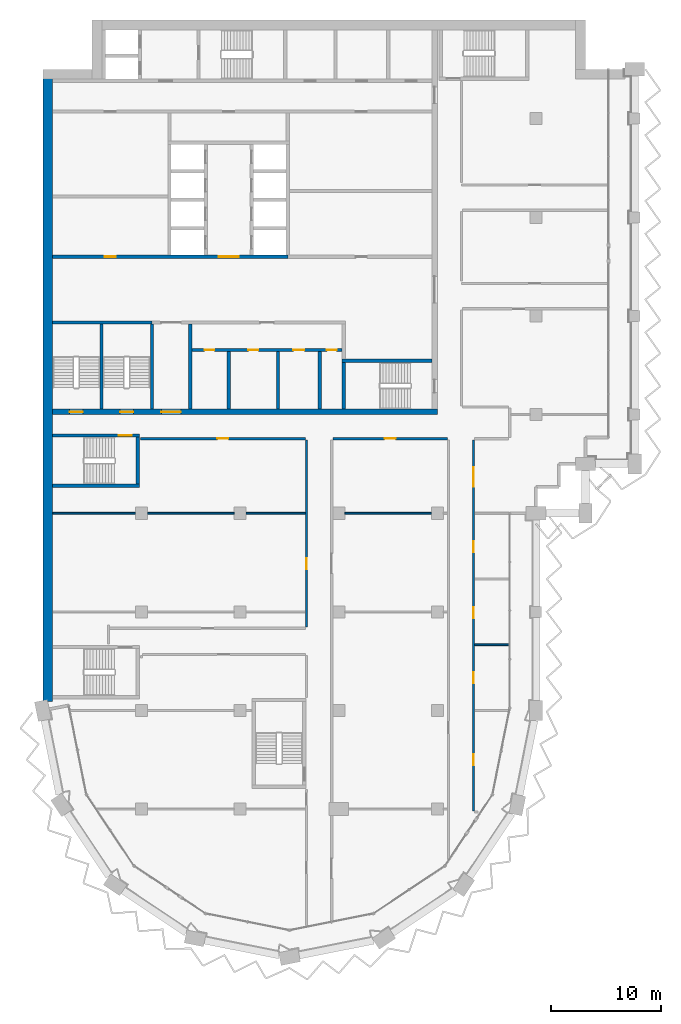
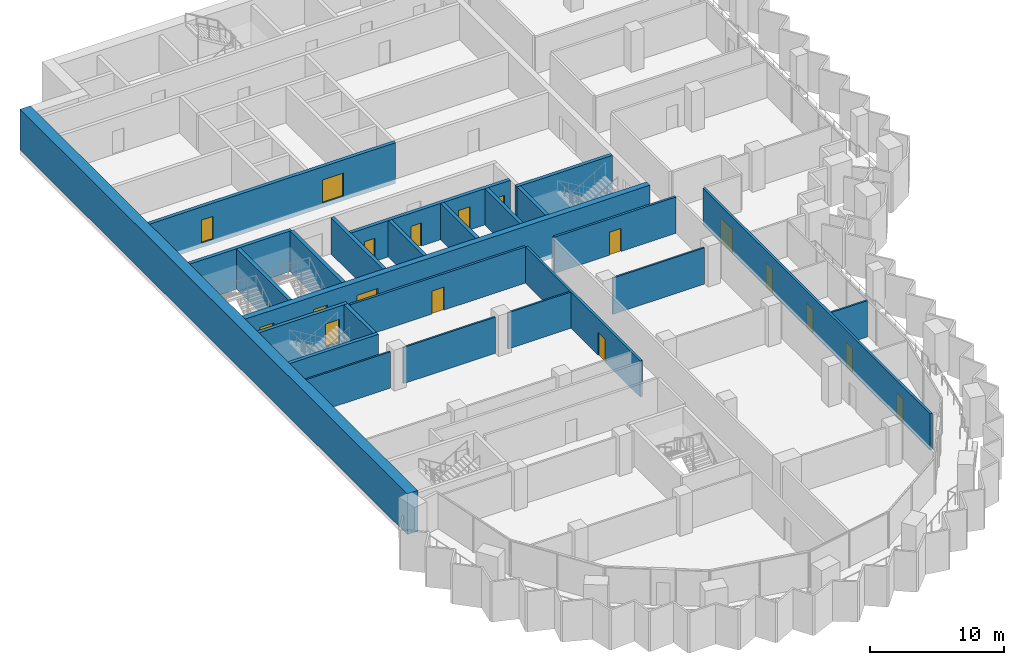
# One storey, part 8 of 17: 25 walls, 18 doors, 18 openings.
"""IFC4 building model written with IfcOpenShell, lengths in metres."""

from ifc_helpers import new_model, si_unit, direction, frame, frame_2d, origin, place, context, subcontext, project, spatial, rectangle, extrude, material, layer, layer_set, type_object, element, fill, save


model = new_model("IFC4")

# Units and contexts
model_context = context("Model", 3, precision=1e-05, world=origin(), true_north=direction((0.0, 1.0)))
body_context = subcontext(model_context, "Body", "Model", "MODEL_VIEW")
ifc_project = project(units=[si_unit("LENGTHUNIT", "METRE"), si_unit("AREAUNIT", "SQUARE_METRE"), si_unit("VOLUMEUNIT", "CUBIC_METRE"), si_unit("PLANEANGLEUNIT", "RADIAN"), si_unit("MASSUNIT", "GRAM", prefix="KILO")], contexts=[model_context])

# Site, building, storey
site_placement = place(None, origin())
site = spatial("IfcSite", under=ifc_project, at=site_placement, CompositionType="ELEMENT")
building_placement = place(site_placement, origin())
building = spatial("IfcBuilding", under=site, at=building_placement, Name="Hunhe Ridgeline Campus", CompositionType="ELEMENT")
storey_placement = place(building_placement, frame((0.0, 0.0, 197.60009765625)))
storey = spatial("IfcBuildingStorey", under=building, at=storey_placement, Name="L50", CompositionType="ELEMENT", Elevation=197.60009765625)

# Wall, openings, doors
ifc_material_1 = material(Name="Masonry concrete blockwork", Category="masonry")
ifc_layer_1 = layer(ifc_material_1, 0.300048828125)
ifc_layer_set_1 = layer_set([ifc_layer_1], Name="Core room partition 300 concrete block")
wall_type_1 = type_object("IfcWallType", Name="Core room partition 300 concrete block", PredefinedType="PARTITIONING", material=ifc_layer_set_1)
wall_1_placement = place(storey_placement, frame((13.60009765625, 68.89990234375, 0.0), z_axis=(0.0, 0.0, 1.0), x_axis=(1.0, 0.0, 0.0)))
wall_1 = element("IfcWall", 1, at=wall_1_placement, inside=storey, type_object=wall_type_1, Name="L50 core partition 9", PredefinedType="PARTITIONING", context=body_context, shape_type="SweptSolid", body=[
    extrude(rectangle(XDim=13.699951171875, YDim=0.300048828125, at=frame_2d((6.85009765625, 0.0))), origin(), (0.0, 0.0, 1.0), 3.2998046875),
])
opening_1_placement = place(wall_1_placement, frame((1.14990234375, 0.0, 0.0)))
opening_1 = element("IfcOpeningElement", 2, at=opening_1_placement, cuts=wall_1, Name="Opening CD8", PredefinedType="OPENING", context=body_context, shape_type="SweptSolid", body=[
    extrude(rectangle(XDim=0.89990234375, YDim=2.10009765625, at=frame_2d((0.449951171875, 1.050048828125))), frame((0.0, 0.14990234375, 0.0), z_axis=(0.0, -1.0, 0.0), x_axis=(1.0, 0.0, 0.0)), (0.0, 0.0, 1.0), 0.300048828125),
])
opening_2_placement = place(wall_1_placement, frame((5.14990234375, 0.0, 0.0)))
opening_2 = element("IfcOpeningElement", 3, at=opening_2_placement, cuts=wall_1, Name="Opening CD9", PredefinedType="OPENING", context=body_context, shape_type="SweptSolid", body=[
    extrude(rectangle(XDim=0.89990234375, YDim=2.10009765625, at=frame_2d((0.449951171875, 1.050048828125))), frame((0.0, 0.14990234375, 0.0), z_axis=(0.0, -1.0, 0.0), x_axis=(1.0, 0.0, 0.0)), (0.0, 0.0, 1.0), 0.300048828125),
])
opening_3_placement = place(wall_1_placement, frame((9.25, 0.0, 0.0)))
opening_3 = element("IfcOpeningElement", 4, at=opening_3_placement, cuts=wall_1, Name="Opening CD10", PredefinedType="OPENING", context=body_context, shape_type="SweptSolid", body=[
    extrude(rectangle(XDim=1.0, YDim=2.10009765625, at=frame_2d((0.5, 1.050048828125))), frame((0.0, 0.14990234375, 0.0), z_axis=(0.0, -1.0, 0.0), x_axis=(1.0, 0.0, 0.0)), (0.0, 0.0, 1.0), 0.300048828125),
])
opening_4_placement = place(wall_1_placement, frame((12.300048828125, 0.0, 0.0)))
opening_4 = element("IfcOpeningElement", 5, at=opening_4_placement, cuts=wall_1, Name="Opening CD11", PredefinedType="OPENING", context=body_context, shape_type="SweptSolid", body=[
    extrude(rectangle(XDim=0.89990234375, YDim=2.10009765625, at=frame_2d((0.449951171875, 1.050048828125))), frame((0.0, 0.14990234375, 0.0), z_axis=(0.0, -1.0, 0.0), x_axis=(1.0, 0.0, 0.0)), (0.0, 0.0, 1.0), 0.300048828125),
])
ifc_material_2 = material(Name="Solid core timber door leaf", Category="wood")
door_type_1 = type_object("IfcDoorType", Name="Timber door 1000x2100", OperationType="SINGLE_SWING_LEFT", PredefinedType="DOOR", material=ifc_material_2)
door_1_placement = place(opening_3_placement, frame((1.0, 0.0, 0.0), z_axis=(0.0, 0.0, 1.0), x_axis=(-1.0, 0.0, 0.0)))
door_1 = element("IfcDoor", 6, at=door_1_placement, inside=storey, type_object=door_type_1, Name="L50 door WC3", OperationType="SINGLE_SWING_LEFT", OverallHeight=2.10009765625, OverallWidth=1.0, PredefinedType="DOOR", context=body_context, shape_type="SweptSolid", body=[
    extrude(rectangle(XDim=1.0, YDim=2.10009765625, at=frame_2d((0.5, 1.050048828125))), frame((0.0, 0.02490234375, 0.0), z_axis=(0.0, -1.0, 0.0), x_axis=(1.0, 0.0, 0.0)), (0.0, 0.0, 1.0), 0.050048828125),
])
fill(opening_3, door_1)
door_type_2 = type_object("IfcDoorType", Name="Timber door 900x2100", OperationType="SINGLE_SWING_LEFT", PredefinedType="DOOR", material=ifc_material_2)
door_2_placement = place(opening_1_placement, frame((0.89990234375, 0.0, 0.0), z_axis=(0.0, 0.0, 1.0), x_axis=(-1.0, 0.0, 0.0)))
door_2 = element("IfcDoor", 7, at=door_2_placement, inside=storey, type_object=door_type_2, Name="L50 door WC1", OperationType="SINGLE_SWING_LEFT", OverallHeight=2.10009765625, OverallWidth=0.89990234375, PredefinedType="DOOR", context=body_context, shape_type="SweptSolid", body=[
    extrude(rectangle(XDim=0.89990234375, YDim=2.10009765625, at=frame_2d((0.449951171875, 1.050048828125))), frame((0.0, 0.02490234375, 0.0), z_axis=(0.0, -1.0, 0.0), x_axis=(1.0, 0.0, 0.0)), (0.0, 0.0, 1.0), 0.050048828125),
])
fill(opening_1, door_2)
door_3_placement = place(opening_2_placement, frame((0.89990234375, 0.0, 0.0), z_axis=(0.0, 0.0, 1.0), x_axis=(-1.0, 0.0, 0.0)))
door_3 = element("IfcDoor", 8, at=door_3_placement, inside=storey, type_object=door_type_2, Name="L50 door WC2", OperationType="SINGLE_SWING_RIGHT", OverallHeight=2.10009765625, OverallWidth=0.89990234375, PredefinedType="DOOR", context=body_context, shape_type="SweptSolid", body=[
    extrude(rectangle(XDim=0.89990234375, YDim=2.10009765625, at=frame_2d((0.449951171875, 1.050048828125))), frame((0.0, 0.02490234375, 0.0), z_axis=(0.0, -1.0, 0.0), x_axis=(1.0, 0.0, 0.0)), (0.0, 0.0, 1.0), 0.050048828125),
])
fill(opening_2, door_3)
door_4_placement = place(opening_4_placement, frame((0.89990234375, 0.0, 0.0), z_axis=(0.0, 0.0, 1.0), x_axis=(-1.0, 0.0, 0.0)))
door_4 = element("IfcDoor", 9, at=door_4_placement, inside=storey, type_object=door_type_2, Name="L50 door WC4", OperationType="SINGLE_SWING_RIGHT", OverallHeight=2.10009765625, OverallWidth=0.89990234375, PredefinedType="DOOR", context=body_context, shape_type="SweptSolid", body=[
    extrude(rectangle(XDim=0.89990234375, YDim=2.10009765625, at=frame_2d((0.449951171875, 1.050048828125))), frame((0.0, 0.02490234375, 0.0), z_axis=(0.0, -1.0, 0.0), x_axis=(1.0, 0.0, 0.0)), (0.0, 0.0, 1.0), 0.050048828125),
])
fill(opening_4, door_4)

# Walls
wall_2_placement = place(storey_placement, frame((13.449951171875, 63.5, 0.0), z_axis=(0.0, 0.0, 1.0), x_axis=(0.0, 1.0, 0.0)))
element("IfcWall", 10, at=wall_2_placement, inside=storey, type_object=wall_type_1, Name="L50 core partition 35", PredefinedType="PARTITIONING", context=body_context, shape_type="SweptSolid", body=[
    extrude(rectangle(XDim=7.75, YDim=0.300048828125, at=frame_2d((3.875, 0.0))), origin(), (0.0, 0.0, 1.0), 3.2998046875),
])
for number, where, z_axis, x_axis, name in (
    (11, (16.949951171875, 63.5, 0.0), (0.0, 0.0, 1.0), (0.0, 1.0, 0.0), "L50 core partition 38"),
    (12, (21.449951171875, 63.5, 0.0), (0.0, 0.0, 1.0), (0.0, 1.0, 0.0), "L50 core partition 41"),
    (13, (25.25, 63.5, 0.0), (0.0, 0.0, 1.0), (0.0, 1.0, 0.0), "L50 core partition 46"),
):
    element("IfcWall", number, at=place(storey_placement, frame(where, z_axis=z_axis, x_axis=x_axis)), inside=storey, type_object=wall_type_1, Name=name, PredefinedType="PARTITIONING", context=body_context, shape_type="SweptSolid", body=[
        extrude(rectangle(XDim=5.25, YDim=0.300048828125, at=frame_2d((2.625, 0.0))), origin(), (0.0, 0.0, 1.0), 3.2998046875),
    ])

# Wall, openings, doors
ifc_material_3 = material(Name="Concrete C60", Category="concrete")
ifc_layer_2 = layer(ifc_material_3, 0.5)
ifc_layer_set_2 = layer_set([ifc_layer_2], Name="Core wall 500 reinforced concrete C60")
wall_type_2 = type_object("IfcWallType", Name="Core wall 500 reinforced concrete C60", PredefinedType="SOLIDWALL", material=ifc_layer_set_2)
wall_3_placement = place(storey_placement, frame((0.89990234375, 63.25, -0.400146484375), z_axis=(0.0, 0.0, 1.0), x_axis=(1.0, 0.0, 0.0)))
wall_3 = element("IfcWall", 14, at=wall_3_placement, inside=storey, type_object=wall_type_2, Name="L50 core wall 7", PredefinedType="SOLIDWALL", context=body_context, shape_type="SweptSolid", body=[
    extrude(rectangle(XDim=35.10009765625, YDim=0.5, at=frame_2d((17.550048828125, 0.0))), origin(), (0.0, 0.0, 1.0), 3.699951171875),
])
opening_5_placement = place(wall_3_placement, frame((9.89990234375, 0.0, 0.39990234375)))
opening_5 = element("IfcOpeningElement", 15, at=opening_5_placement, cuts=wall_3, Name="Opening CD6", PredefinedType="OPENING", context=body_context, shape_type="SweptSolid", body=[
    extrude(rectangle(XDim=1.800048828125, YDim=2.10009765625, at=frame_2d((0.89990234375, 1.050048828125))), frame((0.0, 0.25, 0.0), z_axis=(0.0, -1.0, 0.0), x_axis=(1.0, 0.0, 0.0)), (0.0, 0.0, 1.0), 0.5),
])
opening_6_placement = place(wall_3_placement, frame((1.550048828125, 0.0, 0.39990234375)))
opening_6 = element("IfcOpeningElement", 16, at=opening_6_placement, cuts=wall_3, Name="Opening CD13", PredefinedType="OPENING", context=body_context, shape_type="SweptSolid", body=[
    extrude(rectangle(XDim=1.199951171875, YDim=2.10009765625, at=frame_2d((0.60009765625, 1.050048828125))), frame((0.0, 0.25, 0.0), z_axis=(0.0, -1.0, 0.0), x_axis=(1.0, 0.0, 0.0)), (0.0, 0.0, 1.0), 0.5),
])
opening_7_placement = place(wall_3_placement, frame((6.14990234375, 0.0, 0.39990234375)))
opening_7 = element("IfcOpeningElement", 17, at=opening_7_placement, cuts=wall_3, Name="Opening CD14", PredefinedType="OPENING", context=body_context, shape_type="SweptSolid", body=[
    extrude(rectangle(XDim=1.199951171875, YDim=2.10009765625, at=frame_2d((0.60009765625, 1.050048828125))), frame((0.0, 0.25, 0.0), z_axis=(0.0, -1.0, 0.0), x_axis=(1.0, 0.0, 0.0)), (0.0, 0.0, 1.0), 0.5),
])
ifc_material_4 = material(Name="Anodised aluminium and glass", Category="aluminium")
door_type_3 = type_object("IfcDoorType", Name="Glazed double door 1800x2100", OperationType="DOUBLE_DOOR_SINGLE_SWING", PredefinedType="DOOR", material=ifc_material_4)
door_5_placement = place(opening_5_placement, frame((1.800048828125, 0.0, 0.0), z_axis=(0.0, 0.0, 1.0), x_axis=(-1.0, 0.0, 0.0)))
door_5 = element("IfcDoor", 18, at=door_5_placement, inside=storey, type_object=door_type_3, Name="L50 door VEST-FLOOR", OperationType="DOUBLE_DOOR_SINGLE_SWING", OverallHeight=2.10009765625, OverallWidth=1.800048828125, PredefinedType="DOOR", context=body_context, shape_type="SweptSolid", body=[
    extrude(rectangle(XDim=1.800048828125, YDim=2.10009765625, at=frame_2d((0.89990234375, 1.050048828125))), frame((0.0, 0.02490234375, 0.0), z_axis=(0.0, -1.0, 0.0), x_axis=(1.0, 0.0, 0.0)), (0.0, 0.0, 1.0), 0.050048828125),
])
fill(opening_5, door_5)
ifc_material_5 = material(Name="Hollow metal fire door leaf")
door_type_4 = type_object("IfcDoorType", Name="Stair door 1200x2100 FD60", OperationType="SINGLE_SWING_LEFT", PredefinedType="DOOR", material=ifc_material_5)
door_6_placement = place(opening_6_placement, frame((1.199951171875, 0.0, 0.0), z_axis=(0.0, 0.0, 1.0), x_axis=(-1.0, 0.0, 0.0)))
door_6 = element("IfcDoor", 19, at=door_6_placement, inside=storey, type_object=door_type_4, Name="L50 door S3", OperationType="SINGLE_SWING_LEFT", OverallHeight=2.10009765625, OverallWidth=1.199951171875, PredefinedType="DOOR", context=body_context, shape_type="SweptSolid", body=[
    extrude(rectangle(XDim=1.199951171875, YDim=2.10009765625, at=frame_2d((0.60009765625, 1.050048828125))), frame((0.0, 0.02490234375, 0.0), z_axis=(0.0, -1.0, 0.0), x_axis=(1.0, 0.0, 0.0)), (0.0, 0.0, 1.0), 0.050048828125),
])
fill(opening_6, door_6)
door_7_placement = place(opening_7_placement, frame((1.199951171875, 0.0, 0.0), z_axis=(0.0, 0.0, 1.0), x_axis=(-1.0, 0.0, 0.0)))
door_7 = element("IfcDoor", 20, at=door_7_placement, inside=storey, type_object=door_type_4, Name="L50 door S4", OperationType="SINGLE_SWING_RIGHT", OverallHeight=2.10009765625, OverallWidth=1.199951171875, PredefinedType="DOOR", context=body_context, shape_type="SweptSolid", body=[
    extrude(rectangle(XDim=1.199951171875, YDim=2.10009765625, at=frame_2d((0.60009765625, 1.050048828125))), frame((0.0, 0.02490234375, 0.0), z_axis=(0.0, -1.0, 0.0), x_axis=(1.0, 0.0, 0.0)), (0.0, 0.0, 1.0), 0.050048828125),
])
fill(opening_7, door_7)

# Wall, opening, door
ifc_material_6 = material(Name="Gypsum board partition")
ifc_layer_3 = layer(ifc_material_6, 0.199951171875)
ifc_layer_set_3 = layer_set([ifc_layer_3], Name="Corridor partition 200 gypsum board on steel studs")
wall_type_3 = type_object("IfcWallType", Name="Corridor partition 200 gypsum board on steel studs", PredefinedType="PARTITIONING", material=ifc_layer_set_3)
wall_4_placement = place(storey_placement, frame((23.949951171875, 60.800048828125, 0.0), z_axis=(0.0, 0.0, 1.0), x_axis=(-1.0, 0.0, 0.0)))
wall_4 = element("IfcWall", 21, at=wall_4_placement, inside=storey, type_object=wall_type_3, Name="F-L50-wall-026", PredefinedType="PARTITIONING", context=body_context, shape_type="SweptSolid", body=[
    extrude(rectangle(XDim=15.0458984375, YDim=0.199951171875, at=frame_2d((7.52294921875, 0.0))), origin(), (0.0, 0.0, 1.0), 3.2998046875),
])
opening_8_placement = place(wall_4_placement, frame((7.02294921875, 0.0, 0.0)))
opening_8 = element("IfcOpeningElement", 22, at=opening_8_placement, cuts=wall_4, Name="Opening RD1-014", PredefinedType="OPENING", context=body_context, shape_type="SweptSolid", body=[
    extrude(rectangle(XDim=1.0, YDim=2.10009765625, at=frame_2d((0.5, 1.050048828125))), frame((0.0, 0.10009765625, 0.0), z_axis=(0.0, -1.0, 0.0), x_axis=(1.0, 0.0, 0.0)), (0.0, 0.0, 1.0), 0.199951171875),
])
ifc_material_7 = material(Name="Timber door leaf", Category="wood")
door_type_5 = type_object("IfcDoorType", Name="Single fire door 1000x2100 timber FD60", OperationType="NOTDEFINED", PredefinedType="DOOR", material=ifc_material_7)
door_8_placement = place(opening_8_placement, origin())
door_8 = element("IfcDoor", 23, at=door_8_placement, inside=storey, type_object=door_type_5, Name="F-L50-door-014", OperationType="SINGLE_SWING_LEFT", OverallHeight=2.10009765625, OverallWidth=1.0, PredefinedType="DOOR", context=body_context, shape_type="SweptSolid", body=[
    extrude(rectangle(XDim=1.0, YDim=2.10009765625, at=frame_2d((0.5, 1.050048828125))), frame((0.0, 0.02490234375, 0.0), z_axis=(0.0, -1.0, 0.0), x_axis=(1.0, 0.0, 0.0)), (0.0, 0.0, 1.0), 0.050048828125),
])
fill(opening_8, door_8)

wall_5_placement = place(storey_placement, frame((36.89990234375, 60.800048828125, 0.0), z_axis=(0.0, 0.0, 1.0), x_axis=(-1.0, 0.0, 0.0)))
wall_5 = element("IfcWall", 24, at=wall_5_placement, inside=storey, type_object=wall_type_3, Name="F-L50-wall-027", PredefinedType="PARTITIONING", context=body_context, shape_type="SweptSolid", body=[
    extrude(rectangle(XDim=10.449951171875, YDim=0.199951171875, at=frame_2d((5.22509765625, 0.0))), origin(), (0.0, 0.0, 1.0), 3.2998046875),
])
opening_9_placement = place(wall_5_placement, frame((4.72509765625, 0.0, 0.0)))
opening_9 = element("IfcOpeningElement", 25, at=opening_9_placement, cuts=wall_5, Name="Opening RD1-015", PredefinedType="OPENING", context=body_context, shape_type="SweptSolid", body=[
    extrude(rectangle(XDim=1.0, YDim=2.10009765625, at=frame_2d((0.5, 1.050048828125))), frame((0.0, 0.10009765625, 0.0), z_axis=(0.0, -1.0, 0.0), x_axis=(1.0, 0.0, 0.0)), (0.0, 0.0, 1.0), 0.199951171875),
])
door_9_placement = place(opening_9_placement, origin())
door_9 = element("IfcDoor", 26, at=door_9_placement, inside=storey, type_object=door_type_5, Name="F-L50-door-015", OperationType="SINGLE_SWING_LEFT", OverallHeight=2.10009765625, OverallWidth=1.0, PredefinedType="DOOR", context=body_context, shape_type="SweptSolid", body=[
    extrude(rectangle(XDim=1.0, YDim=2.10009765625, at=frame_2d((0.5, 1.050048828125))), frame((0.0, 0.02490234375, 0.0), z_axis=(0.0, -1.0, 0.0), x_axis=(1.0, 0.0, 0.0)), (0.0, 0.0, 1.0), 0.050048828125),
])
fill(opening_9, door_9)

wall_6_placement = place(storey_placement, frame((24.050048828125, 43.60009765625, 0.0), z_axis=(0.0, 0.0, 1.0), x_axis=(0.0, 1.0, 0.0)))
wall_6 = element("IfcWall", 27, at=wall_6_placement, inside=storey, type_object=wall_type_3, Name="F-L50-wall-040", PredefinedType="PARTITIONING", context=body_context, shape_type="SweptSolid", body=[
    extrude(rectangle(XDim=17.099853515625, YDim=0.199951171875, at=frame_2d((8.5498046875, 0.0))), origin(), (0.0, 0.0, 1.0), 3.2998046875),
])
opening_10_placement = place(wall_6_placement, frame((5.28369140625, 0.0, 0.0)))
opening_10 = element("IfcOpeningElement", 28, at=opening_10_placement, cuts=wall_6, Name="Opening RD1-010", PredefinedType="OPENING", context=body_context, shape_type="SweptSolid", body=[
    extrude(rectangle(XDim=1.0, YDim=2.10009765625, at=frame_2d((0.5, 1.050048828125))), frame((0.0, 0.10009765625, 0.0), z_axis=(0.0, -1.0, 0.0), x_axis=(1.0, 0.0, 0.0)), (0.0, 0.0, 1.0), 0.199951171875),
])
door_10_placement = place(opening_10_placement, origin())
door_10 = element("IfcDoor", 29, at=door_10_placement, inside=storey, type_object=door_type_5, Name="F-L50-door-010", OperationType="SINGLE_SWING_RIGHT", OverallHeight=2.10009765625, OverallWidth=1.0, PredefinedType="DOOR", context=body_context, shape_type="SweptSolid", body=[
    extrude(rectangle(XDim=1.0, YDim=2.10009765625, at=frame_2d((0.5, 1.050048828125))), frame((0.0, 0.02490234375, 0.0), z_axis=(0.0, -1.0, 0.0), x_axis=(1.0, 0.0, 0.0)), (0.0, 0.0, 1.0), 0.050048828125),
])
fill(opening_10, door_10)

# Wall, openings, doors
wall_7_placement = place(storey_placement, frame((39.300048828125, 60.699951171875, 0.0), z_axis=(0.0, 0.0, 1.0), x_axis=(0.0, -1.0, 0.0)))
wall_7 = element("IfcWall", 30, at=wall_7_placement, inside=storey, type_object=wall_type_3, Name="F-L50-wall-047", PredefinedType="PARTITIONING", context=body_context, shape_type="SweptSolid", body=[
    extrude(rectangle(XDim=33.85205078125, YDim=0.199951171875, at=frame_2d((16.926025390625, 0.0))), origin(), (0.0, 0.0, 1.0), 3.2998046875),
])
opening_11_placement = place(wall_7_placement, frame((28.712890625, 0.0, 0.0)))
opening_11 = element("IfcOpeningElement", 31, at=opening_11_placement, cuts=wall_7, Name="Opening RD1-004", PredefinedType="OPENING", context=body_context, shape_type="SweptSolid", body=[
    extrude(rectangle(XDim=1.0, YDim=2.10009765625, at=frame_2d((0.5, 1.050048828125))), frame((0.0, 0.10009765625, 0.0), z_axis=(0.0, -1.0, 0.0), x_axis=(1.0, 0.0, 0.0)), (0.0, 0.0, 1.0), 0.199951171875),
])
opening_12_placement = place(wall_7_placement, frame((21.1904296875, 0.0, 0.0)))
opening_12 = element("IfcOpeningElement", 32, at=opening_12_placement, cuts=wall_7, Name="Opening RD1-006", PredefinedType="OPENING", context=body_context, shape_type="SweptSolid", body=[
    extrude(rectangle(XDim=1.0, YDim=2.10009765625, at=frame_2d((0.5, 1.050048828125))), frame((0.0, 0.10009765625, 0.0), z_axis=(0.0, -1.0, 0.0), x_axis=(1.0, 0.0, 0.0)), (0.0, 0.0, 1.0), 0.199951171875),
])
opening_13_placement = place(wall_7_placement, frame((15.297607421875, 0.0, 0.0)))
opening_13 = element("IfcOpeningElement", 33, at=opening_13_placement, cuts=wall_7, Name="Opening RD1-009", PredefinedType="OPENING", context=body_context, shape_type="SweptSolid", body=[
    extrude(rectangle(XDim=1.0, YDim=2.10009765625, at=frame_2d((0.5, 1.050048828125))), frame((0.0, 0.10009765625, 0.0), z_axis=(0.0, -1.0, 0.0), x_axis=(1.0, 0.0, 0.0)), (0.0, 0.0, 1.0), 0.199951171875),
])
opening_14_placement = place(wall_7_placement, frame((9.279541015625, 0.0, 0.0)))
opening_14 = element("IfcOpeningElement", 34, at=opening_14_placement, cuts=wall_7, Name="Opening RD1-012", PredefinedType="OPENING", context=body_context, shape_type="SweptSolid", body=[
    extrude(rectangle(XDim=1.0, YDim=2.10009765625, at=frame_2d((0.5, 1.050048828125))), frame((0.0, 0.10009765625, 0.0), z_axis=(0.0, -1.0, 0.0), x_axis=(1.0, 0.0, 0.0)), (0.0, 0.0, 1.0), 0.199951171875),
])
opening_15_placement = place(wall_7_placement, frame((2.485107421875, 0.0, 0.0)))
opening_15 = element("IfcOpeningElement", 35, at=opening_15_placement, cuts=wall_7, Name="Opening RD2-013", PredefinedType="OPENING", context=body_context, shape_type="SweptSolid", body=[
    extrude(rectangle(XDim=1.800048828125, YDim=2.10009765625, at=frame_2d((0.89990234375, 1.050048828125))), frame((0.0, 0.10009765625, 0.0), z_axis=(0.0, -1.0, 0.0), x_axis=(1.0, 0.0, 0.0)), (0.0, 0.0, 1.0), 0.199951171875),
])
door_type_6 = type_object("IfcDoorType", Name="Double fire door 1800x2100 timber FD60", OperationType="DOUBLE_DOOR_SINGLE_SWING", PredefinedType="DOOR", material=ifc_material_7)
door_11_placement = place(opening_15_placement, origin())
door_11 = element("IfcDoor", 36, at=door_11_placement, inside=storey, type_object=door_type_6, Name="F-L50-door-013", OperationType="DOUBLE_DOOR_SINGLE_SWING", OverallHeight=2.10009765625, OverallWidth=1.800048828125, PredefinedType="DOOR", context=body_context, shape_type="SweptSolid", body=[
    extrude(rectangle(XDim=1.800048828125, YDim=2.10009765625, at=frame_2d((0.89990234375, 1.050048828125))), frame((0.0, 0.02490234375, 0.0), z_axis=(0.0, -1.0, 0.0), x_axis=(1.0, 0.0, 0.0)), (0.0, 0.0, 1.0), 0.050048828125),
])
fill(opening_15, door_11)
door_12_placement = place(opening_11_placement, origin())
door_12 = element("IfcDoor", 37, at=door_12_placement, inside=storey, type_object=door_type_5, Name="F-L50-door-004", OperationType="SINGLE_SWING_LEFT", OverallHeight=2.10009765625, OverallWidth=1.0, PredefinedType="DOOR", context=body_context, shape_type="SweptSolid", body=[
    extrude(rectangle(XDim=1.0, YDim=2.10009765625, at=frame_2d((0.5, 1.050048828125))), frame((0.0, 0.02490234375, 0.0), z_axis=(0.0, -1.0, 0.0), x_axis=(1.0, 0.0, 0.0)), (0.0, 0.0, 1.0), 0.050048828125),
])
fill(opening_11, door_12)
door_13_placement = place(opening_12_placement, origin())
door_13 = element("IfcDoor", 38, at=door_13_placement, inside=storey, type_object=door_type_5, Name="F-L50-door-006", OperationType="SINGLE_SWING_LEFT", OverallHeight=2.10009765625, OverallWidth=1.0, PredefinedType="DOOR", context=body_context, shape_type="SweptSolid", body=[
    extrude(rectangle(XDim=1.0, YDim=2.10009765625, at=frame_2d((0.5, 1.050048828125))), frame((0.0, 0.02490234375, 0.0), z_axis=(0.0, -1.0, 0.0), x_axis=(1.0, 0.0, 0.0)), (0.0, 0.0, 1.0), 0.050048828125),
])
fill(opening_12, door_13)
door_14_placement = place(opening_13_placement, origin())
door_14 = element("IfcDoor", 39, at=door_14_placement, inside=storey, type_object=door_type_5, Name="F-L50-door-009", OperationType="SINGLE_SWING_LEFT", OverallHeight=2.10009765625, OverallWidth=1.0, PredefinedType="DOOR", context=body_context, shape_type="SweptSolid", body=[
    extrude(rectangle(XDim=1.0, YDim=2.10009765625, at=frame_2d((0.5, 1.050048828125))), frame((0.0, 0.02490234375, 0.0), z_axis=(0.0, -1.0, 0.0), x_axis=(1.0, 0.0, 0.0)), (0.0, 0.0, 1.0), 0.050048828125),
])
fill(opening_13, door_14)
door_15_placement = place(opening_14_placement, origin())
door_15 = element("IfcDoor", 40, at=door_15_placement, inside=storey, type_object=door_type_5, Name="F-L50-door-012", OperationType="SINGLE_SWING_RIGHT", OverallHeight=2.10009765625, OverallWidth=1.0, PredefinedType="DOOR", context=body_context, shape_type="SweptSolid", body=[
    extrude(rectangle(XDim=1.0, YDim=2.10009765625, at=frame_2d((0.5, 1.050048828125))), frame((0.0, 0.02490234375, 0.0), z_axis=(0.0, -1.0, 0.0), x_axis=(1.0, 0.0, 0.0)), (0.0, 0.0, 1.0), 0.050048828125),
])
fill(opening_14, door_15)

# Walls
ifc_layer_4 = layer(ifc_material_6, 0.14990234375)
ifc_layer_set_4 = layer_set([ifc_layer_4], Name="Room partition 150 gypsum board on steel studs")
wall_type_4 = type_object("IfcWallType", Name="Room partition 150 gypsum board on steel studs", PredefinedType="PARTITIONING", material=ifc_layer_set_4)
wall_8_placement = place(storey_placement, frame((39.39990234375, 42.0, 0.0), z_axis=(0.0, 0.0, 1.0), x_axis=(1.0, 0.0, 0.0)))
element("IfcWall", 41, at=wall_8_placement, inside=storey, type_object=wall_type_4, Name="F-L50-wall-012", PredefinedType="PARTITIONING", context=body_context, shape_type="SweptSolid", body=[
    extrude(rectangle(XDim=3.14501953125, YDim=0.14990234375, at=frame_2d((1.572509765625, 0.0))), origin(), (0.0, 0.0, 1.0), 3.2998046875),
])
wall_9_placement = place(storey_placement, frame((0.919921875, 54.0, 0.0), z_axis=(0.0, 0.0, 1.0), x_axis=(1.0, 0.0, 0.0)))
element("IfcWall", 42, at=wall_9_placement, inside=storey, type_object=wall_type_4, Name="F-L50-wall-020", PredefinedType="PARTITIONING", context=body_context, shape_type="SweptSolid", body=[
    extrude(rectangle(XDim=7.530029296875, YDim=0.14990234375, at=frame_2d((3.76513671875, 0.0))), origin(), (0.0, 0.0, 1.0), 3.2998046875),
])
wall_10_placement = place(storey_placement, frame((9.550048828125, 54.0, 0.0), z_axis=(0.0, 0.0, 1.0), x_axis=(1.0, 0.0, 0.0)))
element("IfcWall", 43, at=wall_10_placement, inside=storey, type_object=wall_type_4, Name="F-L50-wall-021", PredefinedType="PARTITIONING", context=body_context, shape_type="SweptSolid", body=[
    extrude(rectangle(XDim=7.89990234375, YDim=0.14990234375, at=frame_2d((3.949951171875, 0.0))), origin(), (0.0, 0.0, 1.0), 3.2998046875),
])
wall_11_placement = place(storey_placement, frame((18.550048828125, 54.0, 0.0), z_axis=(0.0, 0.0, 1.0), x_axis=(1.0, 0.0, 0.0)))
element("IfcWall", 44, at=wall_11_placement, inside=storey, type_object=wall_type_4, Name="F-L50-wall-022", PredefinedType="PARTITIONING", context=body_context, shape_type="SweptSolid", body=[
    extrude(rectangle(XDim=5.39990234375, YDim=0.14990234375, at=frame_2d((2.699951171875, 0.0))), origin(), (0.0, 0.0, 1.0), 3.2998046875),
])
wall_12_placement = place(storey_placement, frame((27.550048828125, 54.0, 0.0), z_axis=(0.0, 0.0, 1.0), x_axis=(1.0, 0.0, 0.0)))
element("IfcWall", 45, at=wall_12_placement, inside=storey, type_object=wall_type_4, Name="F-L50-wall-023", PredefinedType="PARTITIONING", context=body_context, shape_type="SweptSolid", body=[
    extrude(rectangle(XDim=7.89990234375, YDim=0.14990234375, at=frame_2d((3.949951171875, 0.0))), origin(), (0.0, 0.0, 1.0), 3.2998046875),
])

# Wall, openings, doors
ifc_layer_5 = layer(ifc_material_3, 0.300048828125)
ifc_layer_set_5 = layer_set([ifc_layer_5], Name="Shaft wall 300 reinforced concrete C60")
wall_type_5 = type_object("IfcWallType", Name="Shaft wall 300 reinforced concrete C60", PredefinedType="SOLIDWALL", material=ifc_layer_set_5)
wall_13_placement = place(storey_placement, frame((0.89990234375, 77.39990234375, -0.400146484375), z_axis=(0.0, 0.0, 1.0), x_axis=(1.0, 0.0, 0.0)))
wall_13 = element("IfcWall", 46, at=wall_13_placement, inside=storey, type_object=wall_type_5, Name="L50 core wall 12", PredefinedType="SOLIDWALL", context=body_context, shape_type="SweptSolid", body=[
    extrude(rectangle(XDim=21.4501953125, YDim=0.300048828125, at=frame_2d((10.72509765625, 0.0))), origin(), (0.0, 0.0, 1.0), 3.699951171875),
])
opening_16_placement = place(wall_13_placement, frame((15.14990234375, 0.0, 0.39990234375)))
opening_16 = element("IfcOpeningElement", 47, at=opening_16_placement, cuts=wall_13, Name="Opening CD38", PredefinedType="OPENING", context=body_context, shape_type="SweptSolid", body=[
    extrude(rectangle(XDim=1.800048828125, YDim=2.10009765625, at=frame_2d((0.89990234375, 1.050048828125))), frame((0.0, 0.14990234375, 0.0), z_axis=(0.0, -1.0, 0.0), x_axis=(1.0, 0.0, 0.0)), (0.0, 0.0, 1.0), 0.300048828125),
])
opening_17_placement = place(wall_13_placement, frame((4.75, 0.0, 0.39990234375)))
opening_17 = element("IfcOpeningElement", 48, at=opening_17_placement, cuts=wall_13, Name="Opening CD39", PredefinedType="OPENING", context=body_context, shape_type="SweptSolid", body=[
    extrude(rectangle(XDim=1.0, YDim=2.10009765625, at=frame_2d((0.5, 1.050048828125))), frame((0.0, 0.14990234375, 0.0), z_axis=(0.0, -1.0, 0.0), x_axis=(1.0, 0.0, 0.0)), (0.0, 0.0, 1.0), 0.300048828125),
])
door_type_7 = type_object("IfcDoorType", Name="Lobby door 1800x2100 FD60", OperationType="SINGLE_SWING_LEFT", PredefinedType="DOOR", material=ifc_material_5)
door_16_placement = place(opening_16_placement, frame((1.800048828125, 0.0, 0.0), z_axis=(0.0, 0.0, 1.0), x_axis=(-1.0, 0.0, 0.0)))
door_16 = element("IfcDoor", 49, at=door_16_placement, inside=storey, type_object=door_type_7, Name="L50 door LOB-HR", OperationType="SINGLE_SWING_RIGHT", OverallHeight=2.10009765625, OverallWidth=1.800048828125, PredefinedType="DOOR", context=body_context, shape_type="SweptSolid", body=[
    extrude(rectangle(XDim=1.800048828125, YDim=2.10009765625, at=frame_2d((0.89990234375, 1.050048828125))), frame((0.0, 0.02490234375, 0.0), z_axis=(0.0, -1.0, 0.0), x_axis=(1.0, 0.0, 0.0)), (0.0, 0.0, 1.0), 0.050048828125),
])
fill(opening_16, door_16)
door_17_placement = place(opening_17_placement, origin())
door_17 = element("IfcDoor", 50, at=door_17_placement, inside=storey, type_object=door_type_1, Name="L50 door VD-LR0", OperationType="SINGLE_SWING_LEFT", OverallHeight=2.10009765625, OverallWidth=1.0, PredefinedType="DOOR", context=body_context, shape_type="SweptSolid", body=[
    extrude(rectangle(XDim=1.0, YDim=2.10009765625, at=frame_2d((0.5, 1.050048828125))), frame((0.0, 0.02490234375, 0.0), z_axis=(0.0, -1.0, 0.0), x_axis=(1.0, 0.0, 0.0)), (0.0, 0.0, 1.0), 0.050048828125),
])
fill(opening_17, door_17)

# Walls
ifc_layer_6 = layer(ifc_material_3, 0.89990234375)
ifc_layer_set_6 = layer_set([ifc_layer_6], Name="Spine wall 900 Concrete C60")
wall_type_6 = type_object("IfcWallType", Name="Spine wall 900 Concrete C60", PredefinedType="SHEAR", material=ifc_layer_set_6)
wall_14_placement = place(storey_placement, frame((0.449951171875, 94.5, 0.0), z_axis=(0.0, 0.0, 1.0), x_axis=(0.0, -1.0, 0.0)))
element("IfcWall", 51, at=wall_14_placement, inside=storey, type_object=wall_type_6, Name="Spine wall SW3-1 L50", PredefinedType="SHEAR", context=body_context, shape_type="SweptSolid", body=[
    extrude(rectangle(XDim=57.686767578125, YDim=0.89990234375, at=frame_2d((28.84326171875, 0.0))), origin(), (0.0, 0.0, 1.0), 3.699951171875),
])
ifc_layer_7 = layer(ifc_material_3, 0.300048828125)
ifc_layer_set_7 = layer_set([ifc_layer_7], Name="Stair wall 300 reinforced concrete C60")
wall_type_7 = type_object("IfcWallType", Name="Stair wall 300 reinforced concrete C60", PredefinedType="SOLIDWALL", material=ifc_layer_set_7)
wall_15_placement = place(storey_placement, frame((0.89990234375, 56.5, -0.400146484375), z_axis=(0.0, 0.0, 1.0), x_axis=(1.0, 0.0, 0.0)))
element("IfcWall", 52, at=wall_15_placement, inside=storey, type_object=wall_type_7, Name="L50 core wall 5", PredefinedType="SOLIDWALL", context=body_context, shape_type="SweptSolid", body=[
    extrude(rectangle(XDim=7.900146484375, YDim=0.300048828125, at=frame_2d((3.9501953125, 0.0))), origin(), (0.0, 0.0, 1.0), 3.699951171875),
])

# Wall, opening, door
wall_16_placement = place(storey_placement, frame((0.89990234375, 61.10009765625, -0.400146484375), z_axis=(0.0, 0.0, 1.0), x_axis=(1.0, 0.0, 0.0)))
wall_16 = element("IfcWall", 53, at=wall_16_placement, inside=storey, type_object=wall_type_7, Name="L50 core wall 6", PredefinedType="SOLIDWALL", context=body_context, shape_type="SweptSolid", body=[
    extrude(rectangle(XDim=7.900146484375, YDim=0.300048828125, at=frame_2d((3.9501953125, 0.0))), origin(), (0.0, 0.0, 1.0), 3.699951171875),
])
opening_18_placement = place(wall_16_placement, frame((6.0, 0.0, 0.39990234375)))
opening_18 = element("IfcOpeningElement", 54, at=opening_18_placement, cuts=wall_16, Name="Opening CD22", PredefinedType="OPENING", context=body_context, shape_type="SweptSolid", body=[
    extrude(rectangle(XDim=1.199951171875, YDim=2.10009765625, at=frame_2d((0.60009765625, 1.050048828125))), frame((0.0, 0.14990234375, 0.0), z_axis=(0.0, -1.0, 0.0), x_axis=(1.0, 0.0, 0.0)), (0.0, 0.0, 1.0), 0.300048828125),
])
door_18_placement = place(opening_18_placement, origin())
door_18 = element("IfcDoor", 55, at=door_18_placement, inside=storey, type_object=door_type_4, Name="L50 door W2", OperationType="SINGLE_SWING_RIGHT", OverallHeight=2.10009765625, OverallWidth=1.199951171875, PredefinedType="DOOR", context=body_context, shape_type="SweptSolid", body=[
    extrude(rectangle(XDim=1.199951171875, YDim=2.10009765625, at=frame_2d((0.60009765625, 1.050048828125))), frame((0.0, 0.02490234375, 0.0), z_axis=(0.0, -1.0, 0.0), x_axis=(1.0, 0.0, 0.0)), (0.0, 0.0, 1.0), 0.050048828125),
])
fill(opening_18, door_18)

# Walls
wall_17_placement = place(storey_placement, frame((27.300048828125, 67.89990234375, -0.400146484375), z_axis=(0.0, 0.0, 1.0), x_axis=(1.0, 0.0, 0.0)))
element("IfcWall", 56, at=wall_17_placement, inside=storey, type_object=wall_type_7, Name="L50 core wall 8", PredefinedType="SOLIDWALL", context=body_context, shape_type="SweptSolid", body=[
    extrude(rectangle(XDim=8.199951171875, YDim=0.300048828125, at=frame_2d((4.10009765625, 0.0))), origin(), (0.0, 0.0, 1.0), 3.699951171875),
])
wall_18_placement = place(storey_placement, frame((0.89990234375, 71.39990234375, -0.400146484375), z_axis=(0.0, 0.0, 1.0), x_axis=(1.0, 0.0, 0.0)))
element("IfcWall", 57, at=wall_18_placement, inside=storey, type_object=wall_type_7, Name="L50 core wall 10", PredefinedType="SOLIDWALL", context=body_context, shape_type="SweptSolid", body=[
    extrude(rectangle(XDim=9.050048828125, YDim=0.300048828125, at=frame_2d((4.52490234375, 0.0))), origin(), (0.0, 0.0, 1.0), 3.699951171875),
])
wall_19_placement = place(storey_placement, frame((5.35009765625, 63.5, -0.400146484375), z_axis=(0.0, 0.0, 1.0), x_axis=(0.0, 1.0, 0.0)))
element("IfcWall", 58, at=wall_19_placement, inside=storey, type_object=wall_type_7, Name="L50 core wall 27", PredefinedType="SOLIDWALL", context=body_context, shape_type="SweptSolid", body=[
    extrude(rectangle(XDim=7.75, YDim=0.300048828125, at=frame_2d((3.875, 0.0))), origin(), (0.0, 0.0, 1.0), 3.699951171875),
])
wall_20_placement = place(storey_placement, frame((8.64990234375, 56.64990234375, -0.400146484375), z_axis=(0.0, 0.0, 1.0), x_axis=(0.0, 1.0, 0.0)))
element("IfcWall", 59, at=wall_20_placement, inside=storey, type_object=wall_type_7, Name="L50 core wall 30", PredefinedType="SOLIDWALL", context=body_context, shape_type="SweptSolid", body=[
    extrude(rectangle(XDim=4.300048828125, YDim=0.300048828125, at=frame_2d((2.14990234375, 0.0))), origin(), (0.0, 0.0, 1.0), 3.699951171875),
])
wall_21_placement = place(storey_placement, frame((9.949951171875, 63.5, -0.400146484375), z_axis=(0.0, 0.0, 1.0), x_axis=(0.0, 1.0, 0.0)))
element("IfcWall", 60, at=wall_21_placement, inside=storey, type_object=wall_type_7, Name="L50 core wall 32", PredefinedType="SOLIDWALL", context=body_context, shape_type="SweptSolid", body=[
    extrude(rectangle(XDim=7.75, YDim=0.300048828125, at=frame_2d((3.875, 0.0))), origin(), (0.0, 0.0, 1.0), 3.699951171875),
])
wall_22_placement = place(storey_placement, frame((27.449951171875, 63.5, -0.400146484375), z_axis=(0.0, 0.0, 1.0), x_axis=(0.0, 1.0, 0.0)))
element("IfcWall", 61, at=wall_22_placement, inside=storey, type_object=wall_type_7, Name="L50 core wall 48", PredefinedType="SOLIDWALL", context=body_context, shape_type="SweptSolid", body=[
    extrude(rectangle(XDim=4.25, YDim=0.300048828125, at=frame_2d((2.125, 0.0))), origin(), (0.0, 0.0, 1.0), 3.699951171875),
])

save(model, "model.ifc")
